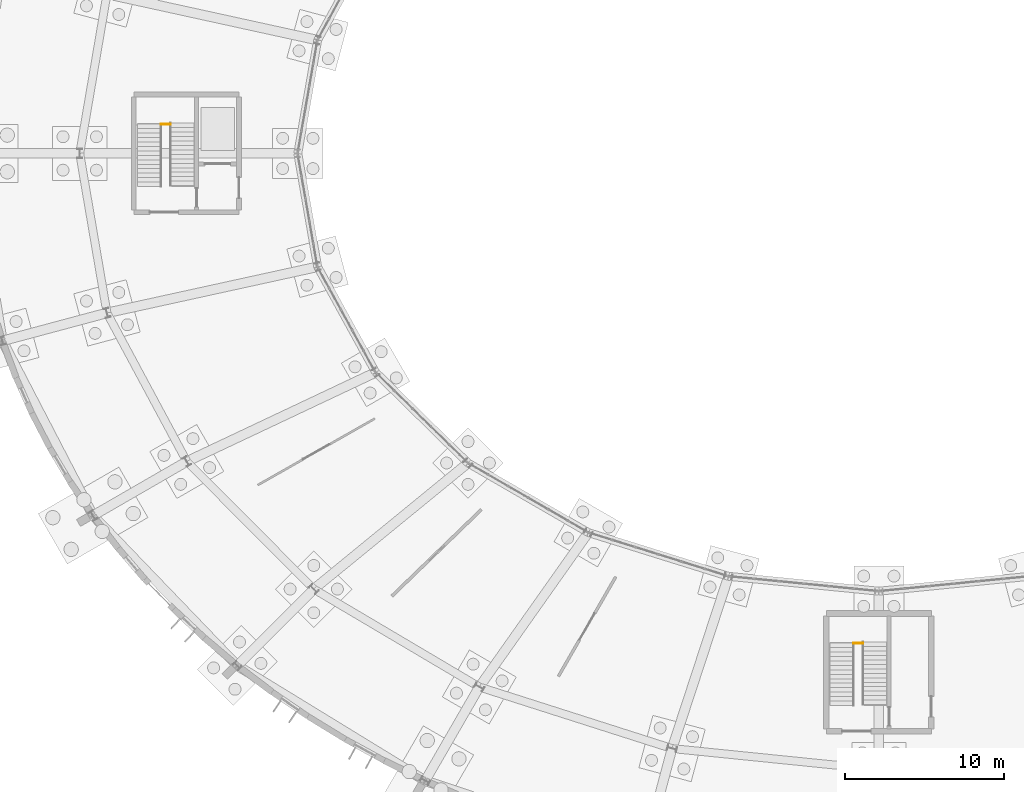
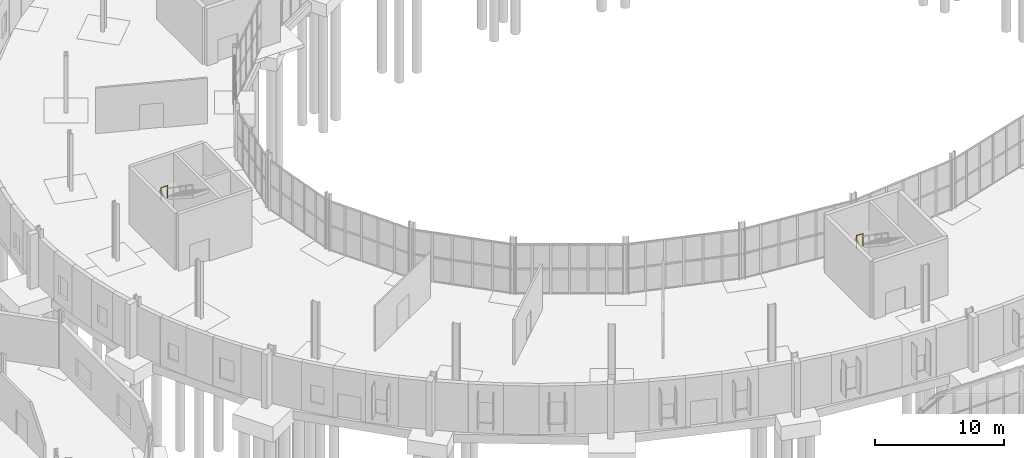
# One storey, part 109 of 118: 2 railings.
"""IFC4 building model written with IfcOpenShell, lengths in metres."""

from ifc_helpers import new_model, si_unit, direction, frame, origin, origin_2d, place, context, subcontext, project, spatial, circle, extrude, material, type_object, element, save


model = new_model("IFC4")

# Units and contexts
model_context = context("Model", 3, precision=1e-05, world=origin(), true_north=direction((0.0, 1.0)))
body_context = subcontext(model_context, "Body", "Model", "MODEL_VIEW")
ifc_project = project(units=[si_unit("LENGTHUNIT", "METRE"), si_unit("AREAUNIT", "SQUARE_METRE"), si_unit("VOLUMEUNIT", "CUBIC_METRE"), si_unit("PLANEANGLEUNIT", "RADIAN"), si_unit("MASSUNIT", "GRAM", prefix="KILO")], contexts=[model_context])

# Site, building, storey
site_placement = place(None, origin())
site = spatial("IfcSite", under=ifc_project, at=site_placement, CompositionType="ELEMENT")
building_placement = place(site_placement, origin())
building = spatial("IfcBuilding", under=site, at=building_placement, Name="Kildeholm Park Wholesale Market", CompositionType="ELEMENT")
storey_placement = place(building_placement, origin())
storey = spatial("IfcBuildingStorey", under=building, at=storey_placement, Name="L00", CompositionType="ELEMENT", Elevation=0.0)

# Railings
ifc_material = material(Name="Painted steel and laminated glass balustrade", Category="steel")
railing_type = type_object("IfcRailingType", Name="Interior gallery and stairwell guard GR-IN1 1200 mm", PredefinedType="GUARDRAIL", material=ifc_material)
for number, where, name in (
    (1, (53.89990234375, 91.330078125, 2.699951171875), "Stair C09 half-landing well guard L00 RLG-0106"),
    (2, (97.39990234375, 58.72998046875, 2.699951171875), "Stair C10 half-landing well guard L00 RLG-0114"),
):
    element("IfcRailing", number, at=place(storey_placement, frame(where)), inside=storey, type_object=railing_type, Name=name, PredefinedType="GUARDRAIL", context=body_context, shape_type="SweptSolid", body=[
        extrude(circle(Radius=0.02392578125, at=origin_2d()), frame((0.0, 0.0, 1.17578125), z_axis=(1.0, 0.0, 0.0), x_axis=(0.0, 1.0, 0.0)), (0.0, 0.0, 1.0), 0.610107421875),
        extrude(circle(Radius=0.02099609375, at=origin_2d()), origin(), (0.0, 0.0, 1.0), 1.15185546875),
        extrude(circle(Radius=0.02099609375, at=origin_2d()), frame((0.610107421875, 0.0, 0.0)), (0.0, 0.0, 1.0), 1.15185546875),
    ])

save(model, "model.ifc")
